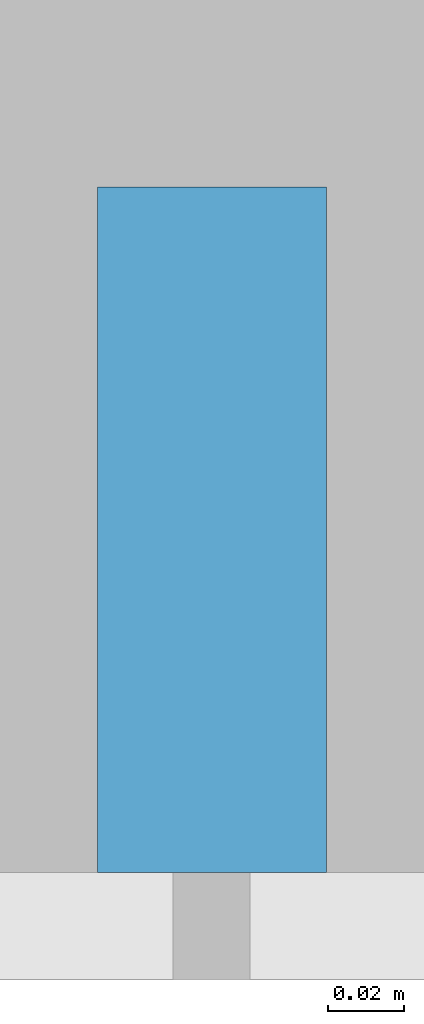
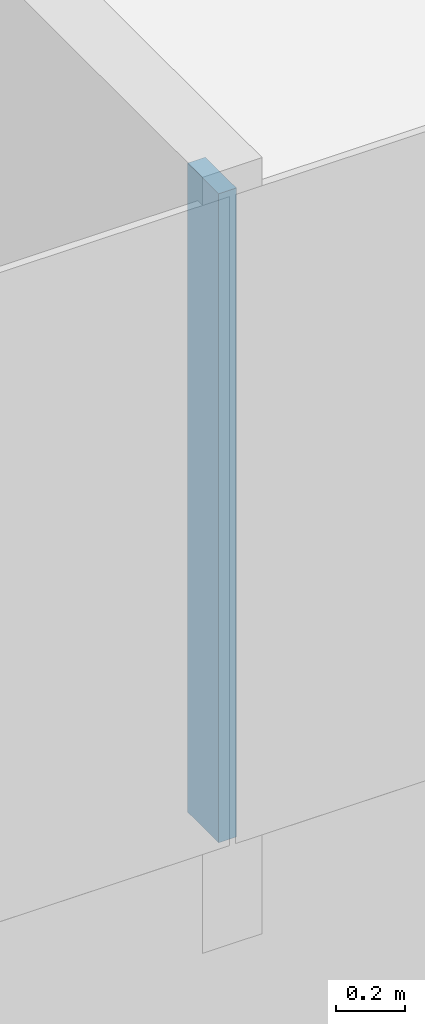
# One storey, part 3 of 26: 1 member, 1 element without a shape of its own.
"""IFC4 building model written with IfcOpenShell, lengths in metres."""

from ifc_helpers import new_model, si_unit, direction, frame, origin, origin_2d, place, context, subcontext, project, spatial, rectangle, extrude, material, layer, layer_set, material_profile, profile_set, type_object, element, aggregate, save


model = new_model("IFC4")

# Units and contexts
model_context = context("Model", 3, precision=1e-05, world=origin(), true_north=direction((0.0, 1.0)))
body_context = subcontext(model_context, "Body", "Model", "MODEL_VIEW")
ifc_project = project(units=[si_unit("LENGTHUNIT", "METRE"), si_unit("AREAUNIT", "SQUARE_METRE"), si_unit("VOLUMEUNIT", "CUBIC_METRE"), si_unit("PLANEANGLEUNIT", "RADIAN"), si_unit("MASSUNIT", "GRAM", prefix="KILO")], contexts=[model_context])

# Site, building, storey
site_placement = place(None, origin())
site = spatial("IfcSite", under=ifc_project, at=site_placement, CompositionType="ELEMENT")
building_placement = place(site_placement, origin())
building = spatial("IfcBuilding", under=site, at=building_placement, Name="Hakoniwa Tower and Hamabe Station Hall", CompositionType="ELEMENT")
storey_placement = place(building_placement, frame((0.0, 0.0, 131.0)))
storey = spatial("IfcBuildingStorey", under=building, at=storey_placement, Name="L36", CompositionType="ELEMENT", Elevation=131.0)

# Curtain wall, member
ifc_material_1 = material(Name="Dark low-e laminated glass", Category="glass")
ifc_layer = layer(ifc_material_1, 0.199951171875)
ifc_layer_set = layer_set([ifc_layer], Name="CW-1 UNITISED GUEST")
curtain_wall_type = type_object("IfcCurtainWallType", Name="CW-1 UNITISED GUEST", PredefinedType="NOTDEFINED", material=ifc_layer_set)
curtain_wall_placement = place(storey_placement, origin())
curtain_wall = element("IfcCurtainWall", 1, at=curtain_wall_placement, inside=storey, type_object=curtain_wall_type, Name="CW-1 curtain wall", PredefinedType="NOTDEFINED")
ifc_material_2 = material(Name="Aluminium 6063-T5 black anodised", Category="aluminium")
ifc_material_profile = material_profile(ifc_material_2, rectangle(XDim=0.06005859375, YDim=0.179931640625, at=origin_2d()), Name="CW-1 MULLION 60X180")
ifc_profile_set = profile_set([ifc_material_profile], Name="Aluminium 6063-T5 black anodised")
member_type = type_object("IfcMemberType", Name="CW-1 MULLION 60X180", PredefinedType="MULLION", material=ifc_profile_set)
member_placement = place(storey_placement, frame((-8.39990234375, -19.181884765625, 0.35009765625), z_axis=(0.0, 0.0, 1.0), x_axis=(1.0, 0.0, 0.0)))
member = element("IfcMember", 2, at=member_placement, type_object=member_type, Name="CW-1 mullion", PredefinedType="MULLION", context=body_context, shape_type="SweptSolid", body=[
    extrude(rectangle(XDim=0.06005859375, YDim=0.179931640625, at=origin_2d()), origin(), (0.0, 0.0, 1.0), 2.2998046875),
])
aggregate(curtain_wall, [member])

save(model, "model.ifc")
